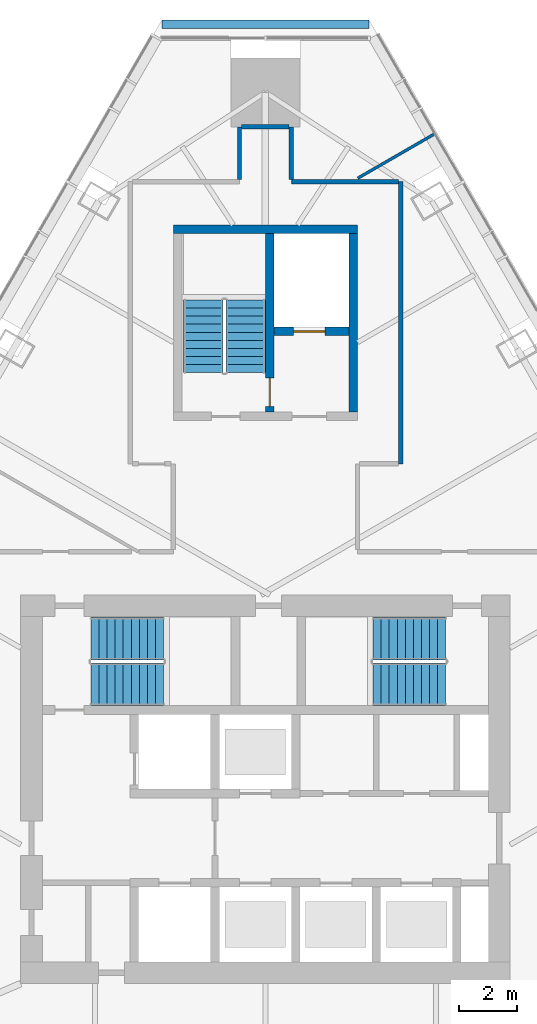
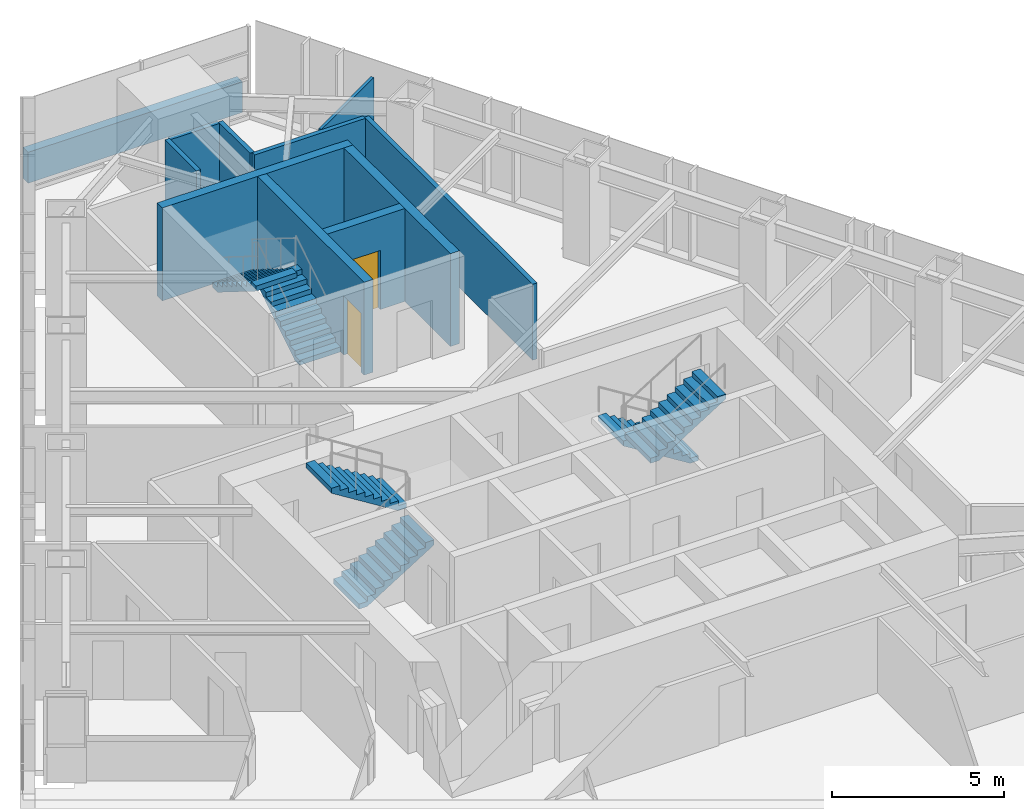
# One storey, part 13 of 15: 11 walls, 6 stair flights, 2 doors, 2 openings, 3 elements without a shape of their own.
"""IFC4 building model written with IfcOpenShell, lengths in metres."""

from ifc_helpers import new_model, si_unit, direction, frame, frame_2d, origin, place, context, subcontext, project, spatial, polyline, rectangle, outline, extrude, material, layer, layer_set, type_object, element, fill, aggregate, save


model = new_model("IFC4")

# Units and contexts
model_context = context("Model", 3, precision=1e-05, world=origin(), true_north=direction((0.0, 1.0)))
body_context = subcontext(model_context, "Body", "Model", "MODEL_VIEW")
ifc_project = project(units=[si_unit("LENGTHUNIT", "METRE"), si_unit("AREAUNIT", "SQUARE_METRE"), si_unit("VOLUMEUNIT", "CUBIC_METRE"), si_unit("PLANEANGLEUNIT", "RADIAN"), si_unit("MASSUNIT", "GRAM", prefix="KILO")], contexts=[model_context])

# Site, building, storey
site_placement = place(None, origin())
site = spatial("IfcSite", under=ifc_project, at=site_placement, CompositionType="ELEMENT")
building_placement = place(site_placement, origin())
building = spatial("IfcBuilding", under=site, at=building_placement, Name="Firuza Gate Tower and Library", CompositionType="ELEMENT")
storey_placement = place(building_placement, frame((0.0, 0.0, 309.10009765625)))
storey = spatial("IfcBuildingStorey", under=building, at=storey_placement, Name="L75", CompositionType="ELEMENT", Elevation=309.10009765625)

# Walls
ifc_material_1 = material(Name="Concrete C60/75", Category="concrete")
ifc_layer_1 = layer(ifc_material_1, 0.300048828125)
ifc_layer_set_1 = layer_set([ifc_layer_1], Name="Core wall 300 C60/75")
wall_type_1 = type_object("IfcWallType", Name="Core wall 300 C60/75", PredefinedType="SHEAR", material=ifc_layer_set_1)
wall_1_placement = place(storey_placement, frame((71.800048828125, 94.449951171875, 0.0), z_axis=(0.0, 0.0, 1.0), x_axis=(1.0, 0.0, 0.0)))
element("IfcWall", 1, at=wall_1_placement, inside=storey, type_object=wall_type_1, Name="Core wall L75 19", PredefinedType="SHEAR", context=body_context, shape_type="SweptSolid", body=[
    extrude(rectangle(XDim=6.39990234375, YDim=0.300048828125, at=frame_2d((3.199951171875, 0.0))), origin(), (0.0, 0.0, 1.0), 3.2998046875),
])
wall_2_placement = place(storey_placement, frame((78.050048828125, 88.10009765625, 0.0), z_axis=(0.0, 0.0, 1.0), x_axis=(0.0, 1.0, 0.0)))
element("IfcWall", 2, at=wall_2_placement, inside=storey, type_object=wall_type_1, Name="Core wall L75 21", PredefinedType="SHEAR", context=body_context, shape_type="SweptSolid", body=[
    extrude(rectangle(XDim=6.199951171875, YDim=0.300048828125, at=frame_2d((3.10009765625, 0.0))), origin(), (0.0, 0.0, 1.0), 3.2998046875),
])

# Wall, opening, door
wall_3_placement = place(storey_placement, frame((75.300048828125, 90.89990234375, 0.0), z_axis=(0.0, 0.0, 1.0), x_axis=(1.0, 0.0, 0.0)))
wall_3 = element("IfcWall", 3, at=wall_3_placement, inside=storey, type_object=wall_type_1, Name="Core wall L75 22", PredefinedType="SHEAR", context=body_context, shape_type="SweptSolid", body=[
    extrude(rectangle(XDim=2.599853515625, YDim=0.300048828125, at=frame_2d((1.2998046875, 0.0))), origin(), (0.0, 0.0, 1.0), 3.2998046875),
])
opening_1_placement = place(wall_3_placement, frame((0.675048828125, 0.0, 0.0)))
opening_1 = element("IfcOpeningElement", 4, at=opening_1_placement, cuts=wall_3, Name="Opening LD-SV1-L75", PredefinedType="OPENING", context=body_context, shape_type="SweptSolid", body=[
    extrude(rectangle(XDim=1.10009765625, YDim=2.10009765625, at=frame_2d((0.550048828125, 1.050048828125))), frame((0.0, 0.16015625, 0.0), z_axis=(0.0, -1.0, 0.0), x_axis=(1.0, 0.0, 0.0)), (0.0, 0.0, 1.0), 0.320068359375),
])
ifc_material_2 = material(Name="Stainless steel", Category="steel")
door_type_1 = type_object("IfcDoorType", Name="Lift landing door 1100x2100", OperationType="DOUBLE_DOOR_SLIDING", PredefinedType="DOOR", material=ifc_material_2)
door_1_placement = place(opening_1_placement, origin())
door_1 = element("IfcDoor", 5, at=door_1_placement, inside=storey, type_object=door_type_1, Name="Landing door SV1 L75", OperationType="DOUBLE_DOOR_SLIDING", OverallHeight=2.10009765625, OverallWidth=1.10009765625, PredefinedType="DOOR", context=body_context, shape_type="SweptSolid", body=[
    extrude(rectangle(XDim=1.10009765625, YDim=2.10009765625, at=frame_2d((0.550048828125, 1.050048828125))), frame((0.0, 0.02490234375, 0.0), z_axis=(0.0, -1.0, 0.0), x_axis=(1.0, 0.0, 0.0)), (0.0, 0.0, 1.0), 0.050048828125),
])
fill(opening_1, door_1)

wall_4_placement = place(storey_placement, frame((75.14990234375, 88.10009765625, 0.0), z_axis=(0.0, 0.0, 1.0), x_axis=(0.0, 1.0, 0.0)))
wall_4 = element("IfcWall", 6, at=wall_4_placement, inside=storey, type_object=wall_type_1, Name="Core wall L75 23", PredefinedType="SHEAR", context=body_context, shape_type="SweptSolid", body=[
    extrude(rectangle(XDim=6.199951171875, YDim=0.300048828125, at=frame_2d((3.10009765625, 0.0))), origin(), (0.0, 0.0, 1.0), 3.2998046875),
])
opening_2_placement = place(wall_4_placement, frame((0.18505859375, 0.0, 0.0)))
opening_2 = element("IfcOpeningElement", 7, at=opening_2_placement, cuts=wall_4, Name="Opening L75-K12", PredefinedType="OPENING", context=body_context, shape_type="SweptSolid", body=[
    extrude(rectangle(XDim=1.0, YDim=2.10009765625, at=frame_2d((0.5, 1.050048828125))), frame((0.0, 0.16015625, 0.0), z_axis=(0.0, -1.0, 0.0), x_axis=(1.0, 0.0, 0.0)), (0.0, 0.0, 1.0), 0.320068359375),
])
ifc_material_3 = material(Name="Steel", Category="steel")
door_type_2 = type_object("IfcDoorType", Name="Fire door 1000x2100 FD90", OperationType="NOTDEFINED", PredefinedType="DOOR", material=ifc_material_3)
door_2_placement = place(opening_2_placement, origin())
door_2 = element("IfcDoor", 8, at=door_2_placement, inside=storey, type_object=door_type_2, Name="Door L75-K12", OperationType="SINGLE_SWING_LEFT", OverallHeight=2.10009765625, OverallWidth=1.0, PredefinedType="DOOR", context=body_context, shape_type="SweptSolid", body=[
    extrude(rectangle(XDim=1.0, YDim=2.10009765625, at=frame_2d((0.5, 1.050048828125))), frame((0.0, 0.02490234375, 0.0), z_axis=(0.0, -1.0, 0.0), x_axis=(1.0, 0.0, 0.0)), (0.0, 0.0, 1.0), 0.050048828125),
])
fill(opening_2, door_2)

# Walls
ifc_material_4 = material(Name="Gypsum board partition")
ifc_layer_2 = layer(ifc_material_4, 0.14990234375)
ifc_layer_set_2 = layer_set([ifc_layer_2], Name="Corridor wall 150 double board on steel studs")
wall_type_2 = type_object("IfcWallType", Name="Corridor wall 150 double board on steel studs", PredefinedType="PARTITIONING", material=ifc_layer_set_2)
wall_5_placement = place(storey_placement, frame((75.89990234375, 96.10009765625, 0.0), z_axis=(0.0, 0.0, 1.0), x_axis=(1.0, 0.0, 0.0)))
element("IfcWall", 9, at=wall_5_placement, inside=storey, type_object=wall_type_2, Name="f:L75:w010", PredefinedType="PARTITIONING", context=body_context, shape_type="SweptSolid", body=[
    extrude(rectangle(XDim=3.72314453125, YDim=0.14990234375, at=frame_2d((1.861572265625, 0.0))), origin(), (0.0, 0.0, 1.0), 2.699951171875),
])
wall_6_placement = place(storey_placement, frame((74.175537109375, 98.00390625, 0.0), z_axis=(0.0, 0.0, 1.0), x_axis=(1.0, 0.0, 0.0)))
element("IfcWall", 10, at=wall_6_placement, inside=storey, type_object=wall_type_2, Name="f:L75:w011", PredefinedType="PARTITIONING", context=body_context, shape_type="SweptSolid", body=[
    extrude(rectangle(XDim=1.64892578125, YDim=0.14990234375, at=frame_2d((0.824462890625, 0.0))), origin(), (0.0, 0.0, 1.0), 2.697021484375),
])
wall_7_placement = place(storey_placement, frame((79.699951171875, 86.302001953125, 0.0), z_axis=(0.0, 0.0, 1.0), x_axis=(0.0, 1.0, 0.0)))
element("IfcWall", 11, at=wall_7_placement, inside=storey, type_object=wall_type_2, Name="f:L75:w035", PredefinedType="PARTITIONING", context=body_context, shape_type="SweptSolid", body=[
    extrude(rectangle(XDim=9.7958984375, YDim=0.14990234375, at=frame_2d((4.89794921875, 0.0))), origin(), (0.0, 0.0, 1.0), 2.699951171875),
])
for number, where, z_axis, x_axis, name in (
    (12, (75.89990234375, 96.175048828125, 0.0), (0.0, 0.0, 1.0), (0.0, 1.0, 0.0), "f:L75:w037"),
    (13, (74.10009765625, 96.175048828125, 0.0), (0.0, 0.0, 1.0), (0.0, 1.0, 0.0), "f:L75:w038"),
):
    element("IfcWall", number, at=place(storey_placement, frame(where, z_axis=z_axis, x_axis=x_axis)), inside=storey, type_object=wall_type_2, Name=name, PredefinedType="PARTITIONING", context=body_context, shape_type="SweptSolid", body=[
        extrude(rectangle(XDim=1.828369140625, YDim=0.14990234375, at=frame_2d((0.9140625, 0.0))), origin(), (0.0, 0.0, 1.0), 2.699951171875),
    ])
ifc_material_5 = material(Name="Gypsum board partition")
ifc_layer_3 = layer(ifc_material_5, 0.10009765625)
ifc_layer_set_3 = layer_set([ifc_layer_3], Name="Partition 100 gypsum board on steel studs")
wall_type_3 = type_object("IfcWallType", Name="Partition 100 gypsum board on steel studs", PredefinedType="PARTITIONING", material=ifc_layer_set_3)
wall_8_placement = place(storey_placement, frame((78.20751953125, 96.2197265625, 0.0), z_axis=(0.0, 0.0, 1.0), x_axis=(0.866004412891, 0.500036355531, 0.0)))
element("IfcWall", 14, at=wall_8_placement, inside=storey, type_object=wall_type_3, Name="f:L75:w021", PredefinedType="PARTITIONING", context=body_context, shape_type="SweptSolid", body=[
    extrude(rectangle(XDim=3.052001953125, YDim=0.10009765625, at=frame_2d((1.52587890625, 0.0))), origin(), (0.0, 0.0, 1.0), 2.699951171875),
])
ifc_material_6 = material(Name="Concrete C40/50", Category="concrete")
ifc_layer_4 = layer(ifc_material_6, 0.300048828125)
ifc_layer_set_4 = layer_set([ifc_layer_4], Name="Terrace parapet 300")
wall_type_4 = type_object("IfcWallType", Name="Terrace parapet 300", PredefinedType="PARAPET", material=ifc_layer_set_4)
wall_9_placement = place(storey_placement, frame((78.60009765625, 101.565185546875, 0.0), z_axis=(0.0, 0.0, 1.0), x_axis=(-1.0, 0.0, 0.0)))
element("IfcWall", 15, at=wall_9_placement, inside=storey, type_object=wall_type_4, Name="Parapet L75 6", PredefinedType="PARAPET", context=body_context, shape_type="SweptSolid", body=[
    extrude(rectangle(XDim=7.2001953125, YDim=0.300048828125, at=frame_2d((3.60009765625, 0.0))), origin(), (0.0, 0.0, 1.0), 1.099853515625),
])

# Stair, stair flights
ifc_material_7 = material(Name="Concrete C35/45", Category="concrete")
stair_type_1 = type_object("IfcStairType", Name="Exit stair ST17", PredefinedType="HALF_TURN_STAIR", material=ifc_material_7)
placement = place(storey_placement, origin())
stair_1 = element("IfcStair", 16, at=placement, inside=storey, type_object=stair_type_1, Name="L75 Stair ST3", PredefinedType="HALF_TURN_STAIR")
ifc_material_8 = material(Name="Concrete C35/45", Category="concrete")
stair_flight_type_1 = type_object("IfcStairFlightType", Name="Stair flight 10 risers 175 width 1370", PredefinedType="STRAIGHT", material=ifc_material_8)
stair_flight_1_placement = place(storey_placement, frame((74.31494140625, 89.469970703125, 0.0), z_axis=(0.0, 0.0, 1.0), x_axis=(0.0, 1.0, 0.0)))
stair_flight_1 = element("IfcStairFlight", 17, at=stair_flight_1_placement, type_object=stair_flight_type_1, Name="ST3 flight 1", NumberOfRisers=10, NumberOfTreads=9, PredefinedType="STRAIGHT", RiserHeight=0.175, TreadLength=0.28, context=body_context, shape_type="SweptSolid", body=[
    extrude(outline(polyline([(0.0, 0.0), (0.0, 0.175048828125), (0.280029296875, 0.175048828125), (0.280029296875, 0.35009765625), (0.56005859375, 0.35009765625), (0.56005859375, 0.52490234375), (0.840087890625, 0.52490234375), (0.840087890625, 0.699951171875), (1.1201171875, 0.699951171875), (1.1201171875, 0.875), (1.39990234375, 0.875), (1.39990234375, 1.050048828125), (1.679931640625, 1.050048828125), (1.679931640625, 1.22509765625), (1.9599609375, 1.22509765625), (1.9599609375, 1.39990234375), (2.239990234375, 1.39990234375), (2.239990234375, 1.574951171875), (2.52001953125, 1.574951171875), (2.52001953125, 1.75), (2.52001953125, 1.398193359375), (0.28271484375, 0.0), (0.0, 0.0)])), frame((0.0, 0.68505859375, 0.0), z_axis=(0.0, -1.0, 0.0), x_axis=(1.0, 0.0, 0.0)), (0.0, 0.0, 1.0), 1.3701171875),
])
stair_flight_2_placement = place(storey_placement, frame((72.844970703125, 91.989990234375, 1.75), z_axis=(0.0, 0.0, 1.0), x_axis=(0.0, -1.0, 0.0)))
stair_flight_2 = element("IfcStairFlight", 18, at=stair_flight_2_placement, type_object=stair_flight_type_1, Name="ST3 flight 2", NumberOfRisers=10, NumberOfTreads=9, PredefinedType="STRAIGHT", RiserHeight=0.175, TreadLength=0.28, context=body_context, shape_type="SweptSolid", body=[
    extrude(outline(polyline([(0.0, 0.0), (0.0, 0.175048828125), (0.280029296875, 0.175048828125), (0.280029296875, 0.35009765625), (0.56005859375, 0.35009765625), (0.56005859375, 0.52490234375), (0.840087890625, 0.52490234375), (0.840087890625, 0.699951171875), (1.1201171875, 0.699951171875), (1.1201171875, 0.875), (1.39990234375, 0.875), (1.39990234375, 1.050048828125), (1.679931640625, 1.050048828125), (1.679931640625, 1.22509765625), (1.9599609375, 1.22509765625), (1.9599609375, 1.39990234375), (2.239990234375, 1.39990234375), (2.239990234375, 1.574951171875), (2.52001953125, 1.574951171875), (2.52001953125, 1.75), (2.52001953125, 1.398193359375), (0.28271484375, 0.0), (0.0, 0.0)])), frame((0.0, 0.68505859375, 0.0), z_axis=(0.0, -1.0, 0.0), x_axis=(1.0, 0.0, 0.0)), (0.0, 0.0, 1.0), 1.3701171875),
])
aggregate(stair_1, [stair_flight_1, stair_flight_2])

ifc_material_9 = material(Name="Concrete C35/45", Category="concrete")
stair_type_2 = type_object("IfcStairType", Name="Exit stair ST8", PredefinedType="HALF_TURN_STAIR", material=ifc_material_9)
stair_2 = element("IfcStair", 19, at=placement, inside=storey, type_object=stair_type_2, Name="L75 Stair ST1", PredefinedType="HALF_TURN_STAIR")
ifc_material_10 = material(Name="Concrete C35/45", Category="concrete")
stair_flight_type_2 = type_object("IfcStairFlightType", Name="Stair flight 10 risers 175 width 1490", PredefinedType="STRAIGHT", material=ifc_material_10)
stair_flight_3_placement = place(storey_placement, frame((68.93994140625, 78.64501953125, 0.0), z_axis=(0.0, 0.0, 1.0), x_axis=(1.0, 0.0, 0.0)))
stair_flight_3 = element("IfcStairFlight", 20, at=stair_flight_3_placement, type_object=stair_flight_type_2, Name="ST1 flight 1", NumberOfRisers=10, NumberOfTreads=9, PredefinedType="STRAIGHT", RiserHeight=0.175, TreadLength=0.28, context=body_context, shape_type="SweptSolid", body=[
    extrude(outline(polyline([(0.0, 0.0), (0.0, 0.175048828125), (0.280029296875, 0.175048828125), (0.280029296875, 0.35009765625), (0.56005859375, 0.35009765625), (0.56005859375, 0.52490234375), (0.840087890625, 0.52490234375), (0.840087890625, 0.699951171875), (1.1201171875, 0.699951171875), (1.1201171875, 0.875), (1.39990234375, 0.875), (1.39990234375, 1.050048828125), (1.679931640625, 1.050048828125), (1.679931640625, 1.22509765625), (1.9599609375, 1.22509765625), (1.9599609375, 1.39990234375), (2.239990234375, 1.39990234375), (2.239990234375, 1.574951171875), (2.52001953125, 1.574951171875), (2.52001953125, 1.75), (2.52001953125, 1.398193359375), (0.28271484375, 0.0), (0.0, 0.0)])), frame((0.0, 0.7451171875, 0.0), z_axis=(0.0, -1.0, 0.0), x_axis=(1.0, 0.0, 0.0)), (0.0, 0.0, 1.0), 1.489990234375),
])
stair_flight_4_placement = place(storey_placement, frame((71.4599609375, 80.235107421875, 1.75), z_axis=(0.0, 0.0, 1.0), x_axis=(-1.0, 0.0, 0.0)))
stair_flight_4 = element("IfcStairFlight", 21, at=stair_flight_4_placement, type_object=stair_flight_type_2, Name="ST1 flight 2", NumberOfRisers=10, NumberOfTreads=9, PredefinedType="STRAIGHT", RiserHeight=0.175, TreadLength=0.28, context=body_context, shape_type="SweptSolid", body=[
    extrude(outline(polyline([(0.0, 0.0), (0.0, 0.175048828125), (0.280029296875, 0.175048828125), (0.280029296875, 0.35009765625), (0.56005859375, 0.35009765625), (0.56005859375, 0.52490234375), (0.840087890625, 0.52490234375), (0.840087890625, 0.699951171875), (1.1201171875, 0.699951171875), (1.1201171875, 0.875), (1.39990234375, 0.875), (1.39990234375, 1.050048828125), (1.679931640625, 1.050048828125), (1.679931640625, 1.22509765625), (1.9599609375, 1.22509765625), (1.9599609375, 1.39990234375), (2.239990234375, 1.39990234375), (2.239990234375, 1.574951171875), (2.52001953125, 1.574951171875), (2.52001953125, 1.75), (2.52001953125, 1.398193359375), (0.28271484375, 0.0), (0.0, 0.0)])), frame((0.0, 0.7451171875, 0.0), z_axis=(0.0, -1.0, 0.0), x_axis=(1.0, 0.0, 0.0)), (0.0, 0.0, 1.0), 1.489990234375),
])
aggregate(stair_2, [stair_flight_3, stair_flight_4])

stair_3 = element("IfcStair", 22, at=placement, inside=storey, type_object=stair_type_2, Name="L75 Stair ST2", PredefinedType="HALF_TURN_STAIR")
stair_flight_5_placement = place(storey_placement, frame((81.260009765625, 80.235107421875, 0.0), z_axis=(0.0, 0.0, 1.0), x_axis=(-1.0, 0.0, 0.0)))
stair_flight_5 = element("IfcStairFlight", 23, at=stair_flight_5_placement, type_object=stair_flight_type_2, Name="ST2 flight 1", NumberOfRisers=10, NumberOfTreads=9, PredefinedType="STRAIGHT", RiserHeight=0.175, TreadLength=0.28, context=body_context, shape_type="SweptSolid", body=[
    extrude(outline(polyline([(0.0, 0.0), (0.0, 0.175048828125), (0.280029296875, 0.175048828125), (0.280029296875, 0.35009765625), (0.56005859375, 0.35009765625), (0.56005859375, 0.52490234375), (0.840087890625, 0.52490234375), (0.840087890625, 0.699951171875), (1.1201171875, 0.699951171875), (1.1201171875, 0.875), (1.39990234375, 0.875), (1.39990234375, 1.050048828125), (1.679931640625, 1.050048828125), (1.679931640625, 1.22509765625), (1.9599609375, 1.22509765625), (1.9599609375, 1.39990234375), (2.239990234375, 1.39990234375), (2.239990234375, 1.574951171875), (2.52001953125, 1.574951171875), (2.52001953125, 1.75), (2.52001953125, 1.398193359375), (0.28271484375, 0.0), (0.0, 0.0)])), frame((0.0, 0.7451171875, 0.0), z_axis=(0.0, -1.0, 0.0), x_axis=(1.0, 0.0, 0.0)), (0.0, 0.0, 1.0), 1.489990234375),
])
stair_flight_6_placement = place(storey_placement, frame((78.739990234375, 78.64501953125, 1.75), z_axis=(0.0, 0.0, 1.0), x_axis=(1.0, 0.0, 0.0)))
stair_flight_6 = element("IfcStairFlight", 24, at=stair_flight_6_placement, type_object=stair_flight_type_2, Name="ST2 flight 2", NumberOfRisers=10, NumberOfTreads=9, PredefinedType="STRAIGHT", RiserHeight=0.175, TreadLength=0.28, context=body_context, shape_type="SweptSolid", body=[
    extrude(outline(polyline([(0.0, 0.0), (0.0, 0.175048828125), (0.280029296875, 0.175048828125), (0.280029296875, 0.35009765625), (0.56005859375, 0.35009765625), (0.56005859375, 0.52490234375), (0.840087890625, 0.52490234375), (0.840087890625, 0.699951171875), (1.1201171875, 0.699951171875), (1.1201171875, 0.875), (1.39990234375, 0.875), (1.39990234375, 1.050048828125), (1.679931640625, 1.050048828125), (1.679931640625, 1.22509765625), (1.9599609375, 1.22509765625), (1.9599609375, 1.39990234375), (2.239990234375, 1.39990234375), (2.239990234375, 1.574951171875), (2.52001953125, 1.574951171875), (2.52001953125, 1.75), (2.52001953125, 1.398193359375), (0.28271484375, 0.0), (0.0, 0.0)])), frame((0.0, 0.7451171875, 0.0), z_axis=(0.0, -1.0, 0.0), x_axis=(1.0, 0.0, 0.0)), (0.0, 0.0, 1.0), 1.489990234375),
])
aggregate(stair_3, [stair_flight_5, stair_flight_6])

save(model, "model.ifc")
